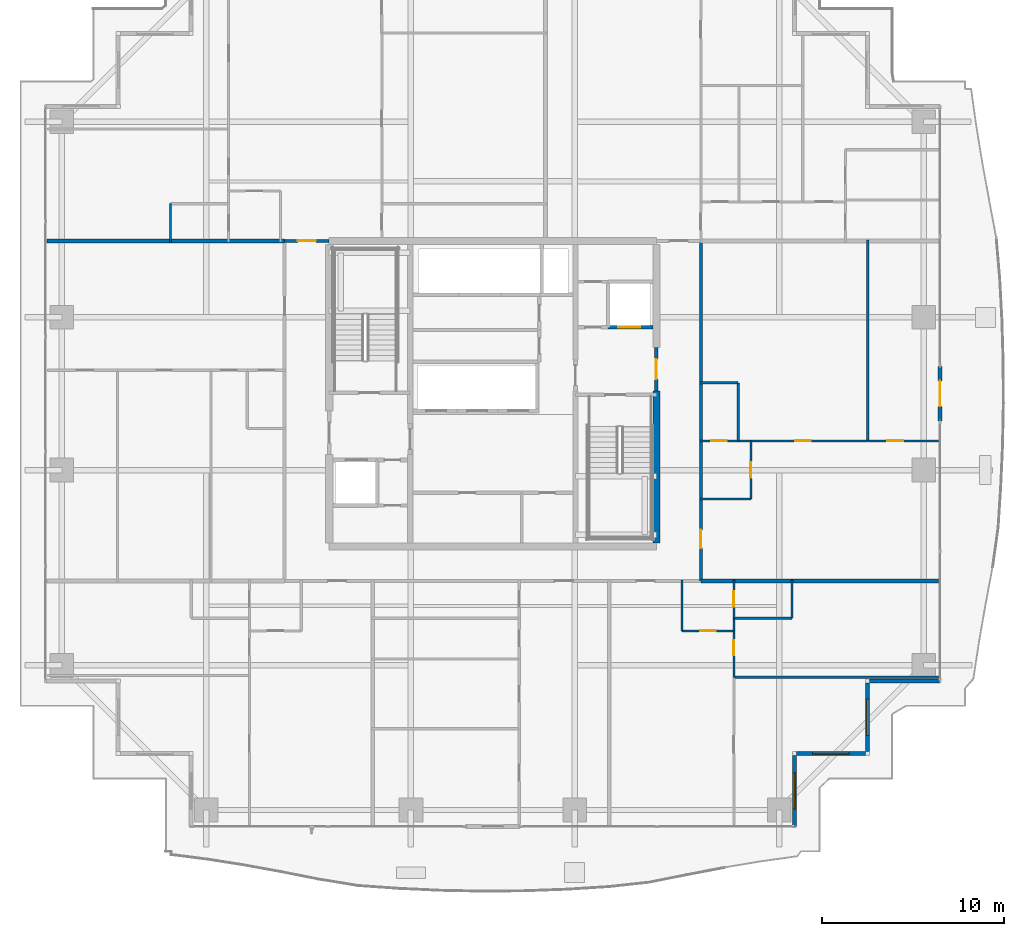
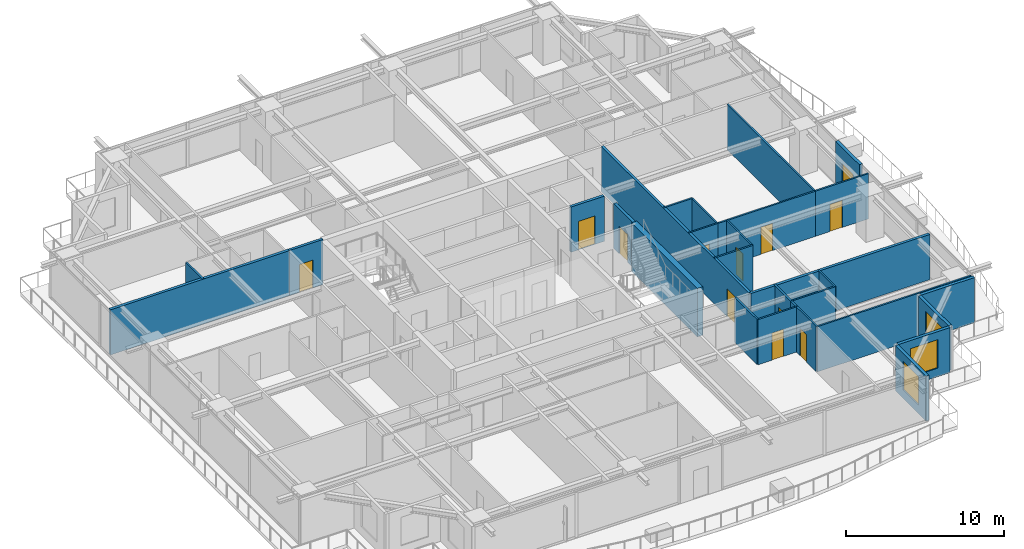
# One storey, part 27 of 35: 28 walls, 12 doors, 3 windows, 15 openings.
"""IFC4 building model written with IfcOpenShell, lengths in metres."""

from ifc_helpers import new_model, si_unit, direction, frame, frame_2d, origin, place, context, subcontext, project, spatial, rectangle, extrude, source, transform, mapped, material, layer, layer_set, type_object, element, fill, save


model = new_model("IFC4")

# Units and contexts
model_context = context("Model", 3, precision=1e-05, world=origin(), true_north=direction((0.0, 1.0)))
body_context = subcontext(model_context, "Body", "Model", "MODEL_VIEW")
ifc_project = project(units=[si_unit("LENGTHUNIT", "METRE"), si_unit("AREAUNIT", "SQUARE_METRE"), si_unit("VOLUMEUNIT", "CUBIC_METRE"), si_unit("PLANEANGLEUNIT", "RADIAN"), si_unit("MASSUNIT", "GRAM", prefix="KILO")], contexts=[model_context])

# Site, building, storey
site_placement = place(None, origin())
site = spatial("IfcSite", under=ifc_project, at=site_placement, CompositionType="ELEMENT")
building_placement = place(site_placement, origin())
building = spatial("IfcBuilding", under=site, at=building_placement, Name="Serunith Strait Residences", CompositionType="ELEMENT")
storey_placement = place(building_placement, frame((0.0, 0.0, 191.39990234375)))
storey = spatial("IfcBuildingStorey", under=building, at=storey_placement, Name="L48", CompositionType="ELEMENT", Elevation=191.39990234375)

# Wall, opening, window
ifc_material_1 = material(Name="Pale-Champagne Aluminium Insulated Panel", Category="aluminium")
ifc_layer_1 = layer(ifc_material_1, 0.219970703125, Name="Pale-Champagne Aluminium Insulated Panel")
ifc_layer_set_1 = layer_set([ifc_layer_1], Name="Pale-Champagne Aluminium Insulated Panel")
wall_type_1 = type_object("IfcWallType", Name="EW-ALUM-220", PredefinedType="ELEMENTEDWALL", material=ifc_layer_set_1)
wall_1_placement = place(storey_placement, frame((49.0, 1.39990234375, 0.0), z_axis=(0.0, 0.0, 1.0), x_axis=(0.0, 1.0, 0.0)))
wall_1 = element("IfcWall", 1, at=wall_1_placement, inside=storey, type_object=wall_type_1, Name="L48 Girih Serrated Corner Wall 02", PredefinedType="ELEMENTEDWALL", context=body_context, shape_type="SweptSolid", body=[
    extrude(rectangle(XDim=3.89013671875, YDim=0.219970703125, at=frame_2d((1.945068359375, 0.0))), origin(), (0.0, 0.0, 1.0), 3.47509765625),
])
opening_1_placement = place(wall_1_placement, frame((0.945068359375, 0.0, 0.64990234375)))
opening_1 = element("IfcOpeningElement", 2, at=opening_1_placement, cuts=wall_1, Name="Opening W-04", PredefinedType="OPENING", context=body_context, shape_type="SweptSolid", body=[
    extrude(rectangle(XDim=2.0, YDim=2.199951171875, at=frame_2d((1.0, 1.10009765625))), frame((0.0, 0.1201171875, 0.0), z_axis=(0.0, -1.0, 0.0), x_axis=(1.0, 0.0, 0.0)), (0.0, 0.0, 1.0), 0.239990234375),
])
ifc_material_2 = material(Name="Ceramic-Fritted Operable Aluminium Window Glass", Category="aluminium")
window_type = type_object("IfcWindowType", Name="WIN-C4", PartitioningType="TRIPLE_PANEL_VERTICAL", PredefinedType="WINDOW", material=ifc_material_2)
shared_shape_1 = source(origin(), body_context, "Body", "SweptSolid", [
    extrude(rectangle(XDim=2.0, YDim=2.199951171875, at=frame_2d((1.0, 1.10009765625))), frame((0.0, 0.030029296875, 0.0), z_axis=(0.0, -1.0, 0.0), x_axis=(1.0, 0.0, 0.0)), (0.0, 0.0, 1.0), 0.06005859375),
])
window_1_placement = place(opening_1_placement, origin())
window_1 = element("IfcWindow", 3, at=window_1_placement, inside=storey, type_object=window_type, Name="L48 Corner Operable Fritted Window 02", OverallHeight=2.199951171875, OverallWidth=2.0, PartitioningType="SINGLE_PANEL", PredefinedType="WINDOW", context=body_context, shape_type="MappedRepresentation", body=[
    mapped(shared_shape_1, transform((0.0, 0.0, 0.0), scale=1.0)),
])
fill(opening_1, window_1)

wall_2_placement = place(storey_placement, frame((49.110107421875, 5.39990234375, 0.0), z_axis=(0.0, 0.0, 1.0), x_axis=(1.0, 0.0, 0.0)))
wall_2 = element("IfcWall", 4, at=wall_2_placement, inside=storey, type_object=wall_type_1, Name="L48 Girih Serrated Corner Wall 03", PredefinedType="ELEMENTEDWALL", context=body_context, shape_type="SweptSolid", body=[
    extrude(rectangle(XDim=3.77978515625, YDim=0.219970703125, at=frame_2d((1.889892578125, 0.0))), origin(), (0.0, 0.0, 1.0), 3.47509765625),
])
opening_2_placement = place(wall_2_placement, frame((0.889892578125, 0.0, 0.64990234375)))
opening_2 = element("IfcOpeningElement", 5, at=opening_2_placement, cuts=wall_2, Name="Opening W-04", PredefinedType="OPENING", context=body_context, shape_type="SweptSolid", body=[
    extrude(rectangle(XDim=2.0, YDim=2.199951171875, at=frame_2d((1.0, 1.10009765625))), frame((0.0, 0.1201171875, 0.0), z_axis=(0.0, -1.0, 0.0), x_axis=(1.0, 0.0, 0.0)), (0.0, 0.0, 1.0), 0.239990234375),
])
window_2_placement = place(opening_2_placement, origin())
window_2 = element("IfcWindow", 6, at=window_2_placement, inside=storey, type_object=window_type, Name="L48 Corner Operable Fritted Window 03", OverallHeight=2.199951171875, OverallWidth=2.0, PartitioningType="SINGLE_PANEL", PredefinedType="WINDOW", context=body_context, shape_type="MappedRepresentation", body=[
    mapped(shared_shape_1, transform((0.0, 0.0, 0.0), scale=1.0)),
])
fill(opening_2, window_2)

wall_3_placement = place(storey_placement, frame((53.0, 5.510009765625, 0.0), z_axis=(0.0, 0.0, 1.0), x_axis=(0.0, 1.0, 0.0)))
wall_3 = element("IfcWall", 7, at=wall_3_placement, inside=storey, type_object=wall_type_1, Name="L48 Girih Serrated Corner Wall 04", PredefinedType="ELEMENTEDWALL", context=body_context, shape_type="SweptSolid", body=[
    extrude(rectangle(XDim=3.780029296875, YDim=0.219970703125, at=frame_2d((1.89013671875, 0.0))), origin(), (0.0, 0.0, 1.0), 3.47509765625),
])
opening_3_placement = place(wall_3_placement, frame((0.889892578125, 0.0, 0.64990234375)))
opening_3 = element("IfcOpeningElement", 8, at=opening_3_placement, cuts=wall_3, Name="Opening W-04", PredefinedType="OPENING", context=body_context, shape_type="SweptSolid", body=[
    extrude(rectangle(XDim=2.0, YDim=2.199951171875, at=frame_2d((1.0, 1.10009765625))), frame((0.0, 0.1201171875, 0.0), z_axis=(0.0, -1.0, 0.0), x_axis=(1.0, 0.0, 0.0)), (0.0, 0.0, 1.0), 0.239990234375),
])
window_3_placement = place(opening_3_placement, origin())
window_3 = element("IfcWindow", 9, at=window_3_placement, inside=storey, type_object=window_type, Name="L48 Corner Operable Fritted Window 04", OverallHeight=2.199951171875, OverallWidth=2.0, PartitioningType="SINGLE_PANEL", PredefinedType="WINDOW", context=body_context, shape_type="MappedRepresentation", body=[
    mapped(shared_shape_1, transform((0.0, 0.0, 0.0), scale=1.0)),
])
fill(opening_3, window_3)

# Wall
wall_4_placement = place(storey_placement, frame((53.110107421875, 9.39990234375, 0.0), z_axis=(0.0, 0.0, 1.0), x_axis=(1.0, 0.0, 0.0)))
element("IfcWall", 10, at=wall_4_placement, inside=storey, type_object=wall_type_1, Name="L48 Girih Serrated Corner Wall 05", PredefinedType="ELEMENTEDWALL", context=body_context, shape_type="SweptSolid", body=[
    extrude(rectangle(XDim=3.889892578125, YDim=0.219970703125, at=frame_2d((1.94482421875, 0.0))), origin(), (0.0, 0.0, 1.0), 3.47509765625),
])

# Wall, opening, door
wall_5_placement = place(storey_placement, frame((57.0, 23.699951171875, 0.0), z_axis=(0.0, 0.0, 1.0), x_axis=(0.0, 1.0, 0.0)))
wall_5 = element("IfcWall", 11, at=wall_5_placement, inside=storey, type_object=wall_type_1, Name="L48 E Facade Pier Wall", PredefinedType="ELEMENTEDWALL", context=body_context, shape_type="SweptSolid", body=[
    extrude(rectangle(XDim=3.0, YDim=0.219970703125, at=frame_2d((1.5, 0.0))), origin(), (0.0, 0.0, 1.0), 3.47509765625),
])
opening_4_placement = place(wall_5_placement, frame((0.800048828125, 0.0, 0.0)))
opening_4 = element("IfcOpeningElement", 12, at=opening_4_placement, cuts=wall_5, Name="Opening ED-04", PredefinedType="OPENING", context=body_context, shape_type="SweptSolid", body=[
    extrude(rectangle(XDim=1.39990234375, YDim=2.25, at=frame_2d((0.699951171875, 1.125))), frame((0.0, 0.1201171875, 0.0), z_axis=(0.0, -1.0, 0.0), x_axis=(1.0, 0.0, 0.0)), (0.0, 0.0, 1.0), 0.239990234375),
])
ifc_material_3 = material(Name="Thermally-Broken Aluminium Sliding Balcony Door", Category="aluminium")
door_type_1 = type_object("IfcDoorType", Name="ED-BALC-1400", OperationType="NOTDEFINED", PredefinedType="DOOR", material=ifc_material_3)
shared_shape_2 = source(origin(), body_context, "Body", "SweptSolid", [
    extrude(rectangle(XDim=1.39990234375, YDim=2.25, at=frame_2d((0.699951171875, 1.125))), frame((0.0, 0.02490234375, 0.0), z_axis=(0.0, -1.0, 0.0), x_axis=(1.0, 0.0, 0.0)), (0.0, 0.0, 1.0), 0.050048828125),
])
door_1_placement = place(opening_4_placement, origin())
door_1 = element("IfcDoor", 13, at=door_1_placement, inside=storey, type_object=door_type_1, Name="L48 E Vertical-Forest Balcony Door", OperationType="SLIDING_TO_LEFT", OverallHeight=2.25, OverallWidth=1.39990234375, PredefinedType="DOOR", context=body_context, shape_type="MappedRepresentation", body=[
    mapped(shared_shape_2, transform((0.0, 0.0, 0.0), scale=1.0)),
])
fill(opening_4, door_1)

ifc_material_4 = material(Name="Fire-rated acoustic gypsum partition")
ifc_layer_2 = layer(ifc_material_4, 0.179931640625, Name="Fire-rated acoustic gypsum partition")
ifc_layer_set_2 = layer_set([ifc_layer_2], Name="Fire-rated acoustic gypsum partition")
wall_type_2 = type_object("IfcWallType", Name="IW-CORR-180", PredefinedType="PARTITIONING", material=ifc_layer_set_2)
wall_6_placement = place(storey_placement, frame((43.85009765625, 14.89990234375, 0.0), z_axis=(0.0, 0.0, 1.0), x_axis=(0.0, 1.0, 0.0)))
wall_6 = element("IfcWall", 14, at=wall_6_placement, inside=storey, type_object=wall_type_2, Name="L48 Partition Wall 029", PredefinedType="PARTITIONING", context=body_context, shape_type="SweptSolid", body=[
    extrude(rectangle(XDim=18.7001953125, YDim=0.179931640625, at=frame_2d((9.35009765625, 0.0))), origin(), (0.0, 0.0, 1.0), 3.489990234375),
])
opening_5_placement = place(wall_6_placement, frame((1.804931640625, 0.0, 0.0)))
opening_5 = element("IfcOpeningElement", 15, at=opening_5_placement, cuts=wall_6, Name="Opening D-APT1000", PredefinedType="OPENING", context=body_context, shape_type="SweptSolid", body=[
    extrude(rectangle(XDim=1.0, YDim=2.14990234375, at=frame_2d((0.5, 1.074951171875))), frame((0.0, 0.10009765625, 0.0), z_axis=(0.0, -1.0, 0.0), x_axis=(1.0, 0.0, 0.0)), (0.0, 0.0, 1.0), 0.199951171875),
])
ifc_material_5 = material(Name="Solid timber engineered fire door", Category="wood")
door_type_2 = type_object("IfcDoorType", Name="ID-APT-1000", OperationType="NOTDEFINED", PredefinedType="DOOR", material=ifc_material_5)
shared_shape_3 = source(origin(), body_context, "Body", "SweptSolid", [
    extrude(rectangle(XDim=1.0, YDim=2.14990234375, at=frame_2d((0.5, 1.074951171875))), frame((0.0, 0.02490234375, 0.0), z_axis=(0.0, -1.0, 0.0), x_axis=(1.0, 0.0, 0.0)), (0.0, 0.0, 1.0), 0.050048828125),
])
door_2_placement = place(opening_5_placement, origin())
door_2 = element("IfcDoor", 16, at=door_2_placement, inside=storey, type_object=door_type_2, Name="L48 Unit 07 Entrance Door", OperationType="SINGLE_SWING_LEFT", OverallHeight=2.14990234375, OverallWidth=1.0, PredefinedType="DOOR", context=body_context, shape_type="MappedRepresentation", body=[
    mapped(shared_shape_3, transform((0.0, 0.0, 0.0), scale=1.0)),
])
fill(opening_5, door_2)

wall_7_placement = place(storey_placement, frame((20.951904296875, 33.60009765625, 0.0), z_axis=(0.0, 0.0, 1.0), x_axis=(1.0, 0.0, 0.0)))
wall_7 = element("IfcWall", 17, at=wall_7_placement, inside=storey, type_object=wall_type_2, Name="L48 Partition Wall 030", PredefinedType="PARTITIONING", context=body_context, shape_type="SweptSolid", body=[
    extrude(rectangle(XDim=2.446044921875, YDim=0.179931640625, at=frame_2d((1.22314453125, 0.0))), origin(), (0.0, 0.0, 1.0), 3.489990234375),
])
opening_6_placement = place(wall_7_placement, frame((0.722900390625, 0.0, 0.0)))
opening_6 = element("IfcOpeningElement", 18, at=opening_6_placement, cuts=wall_7, Name="Opening D-APT1000", PredefinedType="OPENING", context=body_context, shape_type="SweptSolid", body=[
    extrude(rectangle(XDim=1.0, YDim=2.14990234375, at=frame_2d((0.5, 1.074951171875))), frame((0.0, 0.10009765625, 0.0), z_axis=(0.0, -1.0, 0.0), x_axis=(1.0, 0.0, 0.0)), (0.0, 0.0, 1.0), 0.199951171875),
])
door_3_placement = place(opening_6_placement, origin())
door_3 = element("IfcDoor", 19, at=door_3_placement, inside=storey, type_object=door_type_2, Name="L48 Unit 04 Entrance Door", OperationType="SINGLE_SWING_RIGHT", OverallHeight=2.14990234375, OverallWidth=1.0, PredefinedType="DOOR", context=body_context, shape_type="MappedRepresentation", body=[
    mapped(shared_shape_3, transform((0.0, 0.0, 0.0), scale=1.0)),
])
fill(opening_6, door_3)

ifc_material_6 = material(Name="Lightweight steel-stud gypsum partition", Category="steel")
ifc_layer_3 = layer(ifc_material_6, 0.1201171875, Name="Lightweight steel-stud gypsum partition")
ifc_layer_set_3 = layer_set([ifc_layer_3], Name="Lightweight steel-stud gypsum partition")
wall_type_3 = type_object("IfcWallType", Name="IW-PART-120", PredefinedType="PARTITIONING", material=ifc_layer_set_3)
wall_8_placement = place(storey_placement, frame((42.81005859375, 12.14990234375, 0.0), z_axis=(0.0, 0.0, 1.0), x_axis=(1.0, 0.0, 0.0)))
wall_8 = element("IfcWall", 20, at=wall_8_placement, inside=storey, type_object=wall_type_3, Name="L48 Partition Wall 047", PredefinedType="PARTITIONING", context=body_context, shape_type="SweptSolid", body=[
    extrude(rectangle(XDim=2.849853515625, YDim=0.1201171875, at=frame_2d((1.4248046875, 0.0))), origin(), (0.0, 0.0, 1.0), 3.489990234375),
])
opening_7_placement = place(wall_8_placement, frame((1.0, 0.0, 0.0)))
opening_7 = element("IfcOpeningElement", 21, at=opening_7_placement, cuts=wall_8, Name="Opening D-RM850", PredefinedType="OPENING", context=body_context, shape_type="SweptSolid", body=[
    extrude(rectangle(XDim=0.85009765625, YDim=2.10009765625, at=frame_2d((0.425048828125, 1.050048828125))), frame((0.0, 0.070068359375, 0.0), z_axis=(0.0, -1.0, 0.0), x_axis=(1.0, 0.0, 0.0)), (0.0, 0.0, 1.0), 0.14013671875),
])
ifc_material_7 = material(Name="Engineered timber flush study and kitchen door", Category="wood")
door_type_3 = type_object("IfcDoorType", Name="ID-ROOM-850", OperationType="NOTDEFINED", PredefinedType="DOOR", material=ifc_material_7)
shared_shape_4 = source(origin(), body_context, "Body", "SweptSolid", [
    extrude(rectangle(XDim=0.85009765625, YDim=2.10009765625, at=frame_2d((0.425048828125, 1.050048828125))), frame((0.0, 0.02490234375, 0.0), z_axis=(0.0, -1.0, 0.0), x_axis=(1.0, 0.0, 0.0)), (0.0, 0.0, 1.0), 0.050048828125),
])
door_4_placement = place(opening_7_placement, origin())
door_4 = element("IfcDoor", 22, at=door_4_placement, inside=storey, type_object=door_type_3, Name="L48 Kitchen 4803 Door", OperationType="SINGLE_SWING_RIGHT", OverallHeight=2.10009765625, OverallWidth=0.85009765625, PredefinedType="DOOR", context=body_context, shape_type="MappedRepresentation", body=[
    mapped(shared_shape_4, transform((0.0, 0.0, 0.0), scale=1.0)),
])
fill(opening_7, door_4)

# Walls
wall_9_placement = place(storey_placement, frame((42.81005859375, 12.14990234375, 0.0), z_axis=(0.0, 0.0, 1.0), x_axis=(0.0, 1.0, 0.0)))
element("IfcWall", 23, at=wall_9_placement, inside=storey, type_object=wall_type_3, Name="L48 Partition Wall 048", PredefinedType="PARTITIONING", context=body_context, shape_type="SweptSolid", body=[
    extrude(rectangle(XDim=2.81005859375, YDim=0.1201171875, at=frame_2d((1.405029296875, 0.0))), origin(), (0.0, 0.0, 1.0), 3.489990234375),
])
wall_10_placement = place(storey_placement, frame((45.659912109375, 9.597900390625, 0.0), z_axis=(0.0, 0.0, 1.0), x_axis=(1.0, 0.0, 0.0)))
element("IfcWall", 24, at=wall_10_placement, inside=storey, type_object=wall_type_3, Name="L48 Partition Wall 050", PredefinedType="PARTITIONING", context=body_context, shape_type="SweptSolid", body=[
    extrude(rectangle(XDim=11.2451171875, YDim=0.1201171875, at=frame_2d((5.62255859375, 0.0))), origin(), (0.0, 0.0, 1.0), 3.489990234375),
])
wall_11_placement = place(storey_placement, frame((45.659912109375, 12.85009765625, 0.0), z_axis=(0.0, 0.0, 1.0), x_axis=(1.0, 0.0, 0.0)))
element("IfcWall", 25, at=wall_11_placement, inside=storey, type_object=wall_type_3, Name="L48 Partition Wall 051", PredefinedType="PARTITIONING", context=body_context, shape_type="SweptSolid", body=[
    extrude(rectangle(XDim=3.2001953125, YDim=0.1201171875, at=frame_2d((1.60009765625, 0.0))), origin(), (0.0, 0.0, 1.0), 3.489990234375),
])
wall_12_placement = place(storey_placement, frame((48.860107421875, 12.85009765625, 0.0), z_axis=(0.0, 0.0, 1.0), x_axis=(0.0, 1.0, 0.0)))
element("IfcWall", 26, at=wall_12_placement, inside=storey, type_object=wall_type_3, Name="L48 Partition Wall 052", PredefinedType="PARTITIONING", context=body_context, shape_type="SweptSolid", body=[
    extrude(rectangle(XDim=2.10986328125, YDim=0.1201171875, at=frame_2d((1.054931640625, 0.0))), origin(), (0.0, 0.0, 1.0), 3.489990234375),
])

# Wall, opening, door
wall_13_placement = place(storey_placement, frame((45.659912109375, 9.60009765625, 0.0), z_axis=(0.0, 0.0, 1.0), x_axis=(0.0, 1.0, 0.0)))
wall_13 = element("IfcWall", 27, at=wall_13_placement, inside=storey, type_object=wall_type_3, Name="L48 Partition Wall 053", PredefinedType="PARTITIONING", context=body_context, shape_type="SweptSolid", body=[
    extrude(rectangle(XDim=3.25, YDim=0.1201171875, at=frame_2d((1.625, 0.0))), origin(), (0.0, 0.0, 1.0), 3.489990234375),
])
opening_8_placement = place(wall_13_placement, frame((1.199951171875, 0.0, 0.0)))
opening_8 = element("IfcOpeningElement", 28, at=opening_8_placement, cuts=wall_13, Name="Opening D-RM850", PredefinedType="OPENING", context=body_context, shape_type="SweptSolid", body=[
    extrude(rectangle(XDim=0.85009765625, YDim=2.10009765625, at=frame_2d((0.425048828125, 1.050048828125))), frame((0.0, 0.070068359375, 0.0), z_axis=(0.0, -1.0, 0.0), x_axis=(1.0, 0.0, 0.0)), (0.0, 0.0, 1.0), 0.14013671875),
])
door_5_placement = place(opening_8_placement, origin())
door_5 = element("IfcDoor", 29, at=door_5_placement, inside=storey, type_object=door_type_3, Name="L48 Walk-in Wardrobe 4803 Door", OperationType="SINGLE_SWING_RIGHT", OverallHeight=2.10009765625, OverallWidth=0.85009765625, PredefinedType="DOOR", context=body_context, shape_type="MappedRepresentation", body=[
    mapped(shared_shape_4, transform((0.0, 0.0, 0.0), scale=1.0)),
])
fill(opening_8, door_5)

wall_14_placement = place(storey_placement, frame((45.659912109375, 12.85205078125, 0.0), z_axis=(0.0, 0.0, 1.0), x_axis=(0.0, 1.0, 0.0)))
wall_14 = element("IfcWall", 30, at=wall_14_placement, inside=storey, type_object=wall_type_3, Name="L48 Partition Wall 054", PredefinedType="PARTITIONING", context=body_context, shape_type="SweptSolid", body=[
    extrude(rectangle(XDim=2.10791015625, YDim=0.1201171875, at=frame_2d((1.053955078125, 0.0))), origin(), (0.0, 0.0, 1.0), 3.489990234375),
])
opening_9_placement = place(wall_14_placement, frame((0.62890625, 0.0, 0.0)))
opening_9 = element("IfcOpeningElement", 31, at=opening_9_placement, cuts=wall_14, Name="Opening D-BTH850", PredefinedType="OPENING", context=body_context, shape_type="SweptSolid", body=[
    extrude(rectangle(XDim=0.85009765625, YDim=2.10009765625, at=frame_2d((0.425048828125, 1.050048828125))), frame((0.0, 0.070068359375, 0.0), z_axis=(0.0, -1.0, 0.0), x_axis=(1.0, 0.0, 0.0)), (0.0, 0.0, 1.0), 0.14013671875),
])
ifc_material_8 = material(Name="Moisture-resistant timber bathroom door", Category="wood")
door_type_4 = type_object("IfcDoorType", Name="ID-BATH-850", OperationType="NOTDEFINED", PredefinedType="DOOR", material=ifc_material_8)
door_6_placement = place(opening_9_placement, origin())
door_6 = element("IfcDoor", 32, at=door_6_placement, inside=storey, type_object=door_type_4, Name="L48 Bathroom 4803 Door", OperationType="SINGLE_SWING_LEFT", OverallHeight=2.10009765625, OverallWidth=0.85009765625, PredefinedType="DOOR", context=body_context, shape_type="MappedRepresentation", body=[
    mapped(shared_shape_4, transform((0.0, 0.0, 0.0), scale=1.0)),
])
fill(opening_9, door_6)

# Wall
wall_15_placement = place(storey_placement, frame((14.669921875, 35.64990234375, 0.0), z_axis=(0.0, 0.0, 1.0), x_axis=(0.0, -1.0, 0.0)))
element("IfcWall", 33, at=wall_15_placement, inside=storey, type_object=wall_type_3, Name="L48 Partition Wall 060", PredefinedType="PARTITIONING", context=body_context, shape_type="SweptSolid", body=[
    extrude(rectangle(XDim=2.10986328125, YDim=0.1201171875, at=frame_2d((1.054931640625, 0.0))), origin(), (0.0, 0.0, 1.0), 3.489990234375),
])

# Wall, opening, door
wall_16_placement = place(storey_placement, frame((46.60009765625, 19.39990234375, 0.0), z_axis=(0.0, 0.0, 1.0), x_axis=(0.0, 1.0, 0.0)))
wall_16 = element("IfcWall", 34, at=wall_16_placement, inside=storey, type_object=wall_type_3, Name="L48 Partition Wall 089", PredefinedType="PARTITIONING", context=body_context, shape_type="SweptSolid", body=[
    extrude(rectangle(XDim=3.2001953125, YDim=0.1201171875, at=frame_2d((1.60009765625, 0.0))), origin(), (0.0, 0.0, 1.0), 3.489990234375),
])
opening_10_placement = place(wall_16_placement, frame((1.175048828125, 0.0, 0.0)))
opening_10 = element("IfcOpeningElement", 35, at=opening_10_placement, cuts=wall_16, Name="Opening D-RM850", PredefinedType="OPENING", context=body_context, shape_type="SweptSolid", body=[
    extrude(rectangle(XDim=0.85009765625, YDim=2.10009765625, at=frame_2d((0.425048828125, 1.050048828125))), frame((0.0, 0.070068359375, 0.0), z_axis=(0.0, -1.0, 0.0), x_axis=(1.0, 0.0, 0.0)), (0.0, 0.0, 1.0), 0.14013671875),
])
door_7_placement = place(opening_10_placement, origin())
door_7 = element("IfcDoor", 36, at=door_7_placement, inside=storey, type_object=door_type_3, Name="L48 Kitchen 4807 Door", OperationType="SINGLE_SWING_RIGHT", OverallHeight=2.10009765625, OverallWidth=0.85009765625, PredefinedType="DOOR", context=body_context, shape_type="MappedRepresentation", body=[
    mapped(shared_shape_4, transform((0.0, 0.0, 0.0), scale=1.0)),
])
fill(opening_10, door_7)

# Wall
wall_17_placement = place(storey_placement, frame((46.60009765625, 19.39990234375, 0.0), z_axis=(0.0, 0.0, 1.0), x_axis=(-1.0, 0.0, 0.0)))
element("IfcWall", 37, at=wall_17_placement, inside=storey, type_object=wall_type_3, Name="L48 Partition Wall 090", PredefinedType="PARTITIONING", context=body_context, shape_type="SweptSolid", body=[
    extrude(rectangle(XDim=2.81005859375, YDim=0.1201171875, at=frame_2d((1.405029296875, 0.0))), origin(), (0.0, 0.0, 1.0), 3.489990234375),
])

# Wall, opening, door
wall_18_placement = place(storey_placement, frame((56.905029296875, 22.60009765625, 0.0), z_axis=(0.0, 0.0, 1.0), x_axis=(-1.0, 0.0, 0.0)))
wall_18 = element("IfcWall", 38, at=wall_18_placement, inside=storey, type_object=wall_type_3, Name="L48 Partition Wall 091", PredefinedType="PARTITIONING", context=body_context, shape_type="SweptSolid", body=[
    extrude(rectangle(XDim=3.879150390625, YDim=0.1201171875, at=frame_2d((1.939453125, 0.0))), origin(), (0.0, 0.0, 1.0), 3.489990234375),
])
opening_11_placement = place(wall_18_placement, frame((1.91796875, 0.0, 0.0)))
opening_11 = element("IfcOpeningElement", 39, at=opening_11_placement, cuts=wall_18, Name="Opening D-RM900", PredefinedType="OPENING", context=body_context, shape_type="SweptSolid", body=[
    extrude(rectangle(XDim=0.89990234375, YDim=2.10009765625, at=frame_2d((0.449951171875, 1.050048828125))), frame((0.0, 0.070068359375, 0.0), z_axis=(0.0, -1.0, 0.0), x_axis=(1.0, 0.0, 0.0)), (0.0, 0.0, 1.0), 0.14013671875),
])
ifc_material_9 = material(Name="Engineered timber flush bedroom door", Category="wood")
door_type_5 = type_object("IfcDoorType", Name="ID-ROOM-900", OperationType="NOTDEFINED", PredefinedType="DOOR", material=ifc_material_9)
shared_shape_5 = source(origin(), body_context, "Body", "SweptSolid", [
    extrude(rectangle(XDim=0.89990234375, YDim=2.10009765625, at=frame_2d((0.449951171875, 1.050048828125))), frame((0.0, 0.02490234375, 0.0), z_axis=(0.0, -1.0, 0.0), x_axis=(1.0, 0.0, 0.0)), (0.0, 0.0, 1.0), 0.050048828125),
])
door_8_placement = place(opening_11_placement, origin())
door_8 = element("IfcDoor", 40, at=door_8_placement, inside=storey, type_object=door_type_5, Name="L48 Master Bedroom 1 4807 Door", OperationType="SINGLE_SWING_LEFT", OverallHeight=2.10009765625, OverallWidth=0.89990234375, PredefinedType="DOOR", context=body_context, shape_type="MappedRepresentation", body=[
    mapped(shared_shape_5, transform((0.0, 0.0, 0.0), scale=1.0)),
])
fill(opening_11, door_8)

# Walls
wall_19_placement = place(storey_placement, frame((53.02587890625, 22.60009765625, 0.0), z_axis=(0.0, 0.0, 1.0), x_axis=(0.0, 1.0, 0.0)))
element("IfcWall", 41, at=wall_19_placement, inside=storey, type_object=wall_type_3, Name="L48 Partition Wall 092", PredefinedType="PARTITIONING", context=body_context, shape_type="SweptSolid", body=[
    extrude(rectangle(XDim=11.059814453125, YDim=0.1201171875, at=frame_2d((5.52978515625, 0.0))), origin(), (0.0, 0.0, 1.0), 3.489990234375),
])
wall_20_placement = place(storey_placement, frame((45.89990234375, 22.60009765625, 0.0), z_axis=(0.0, 0.0, 1.0), x_axis=(0.0, 1.0, 0.0)))
element("IfcWall", 42, at=wall_20_placement, inside=storey, type_object=wall_type_3, Name="L48 Partition Wall 093", PredefinedType="PARTITIONING", context=body_context, shape_type="SweptSolid", body=[
    extrude(rectangle(XDim=3.199951171875, YDim=0.1201171875, at=frame_2d((1.60009765625, 0.0))), origin(), (0.0, 0.0, 1.0), 3.489990234375),
])
wall_21_placement = place(storey_placement, frame((45.89990234375, 25.800048828125, 0.0), z_axis=(0.0, 0.0, 1.0), x_axis=(-1.0, 0.0, 0.0)))
element("IfcWall", 43, at=wall_21_placement, inside=storey, type_object=wall_type_3, Name="L48 Partition Wall 094", PredefinedType="PARTITIONING", context=body_context, shape_type="SweptSolid", body=[
    extrude(rectangle(XDim=2.10986328125, YDim=0.1201171875, at=frame_2d((1.054931640625, 0.0))), origin(), (0.0, 0.0, 1.0), 3.489990234375),
])

# Wall, opening, door
wall_22_placement = place(storey_placement, frame((53.02392578125, 22.60009765625, 0.0), z_axis=(0.0, 0.0, 1.0), x_axis=(-1.0, 0.0, 0.0)))
wall_22 = element("IfcWall", 44, at=wall_22_placement, inside=storey, type_object=wall_type_3, Name="L48 Partition Wall 095", PredefinedType="PARTITIONING", context=body_context, shape_type="SweptSolid", body=[
    extrude(rectangle(XDim=7.1240234375, YDim=0.1201171875, at=frame_2d((3.56201171875, 0.0))), origin(), (0.0, 0.0, 1.0), 3.489990234375),
])
opening_12_placement = place(wall_22_placement, frame((3.136962890625, 0.0, 0.0)))
opening_12 = element("IfcOpeningElement", 45, at=opening_12_placement, cuts=wall_22, Name="Opening D-RM850", PredefinedType="OPENING", context=body_context, shape_type="SweptSolid", body=[
    extrude(rectangle(XDim=0.85009765625, YDim=2.10009765625, at=frame_2d((0.425048828125, 1.050048828125))), frame((0.0, 0.070068359375, 0.0), z_axis=(0.0, -1.0, 0.0), x_axis=(1.0, 0.0, 0.0)), (0.0, 0.0, 1.0), 0.14013671875),
])
door_9_placement = place(opening_12_placement, origin())
door_9 = element("IfcDoor", 46, at=door_9_placement, inside=storey, type_object=door_type_3, Name="L48 Walk-in Wardrobe 4807 Door", OperationType="SINGLE_SWING_RIGHT", OverallHeight=2.10009765625, OverallWidth=0.85009765625, PredefinedType="DOOR", context=body_context, shape_type="MappedRepresentation", body=[
    mapped(shared_shape_4, transform((0.0, 0.0, 0.0), scale=1.0)),
])
fill(opening_12, door_9)

wall_23_placement = place(storey_placement, frame((45.89794921875, 22.60009765625, 0.0), z_axis=(0.0, 0.0, 1.0), x_axis=(-1.0, 0.0, 0.0)))
wall_23 = element("IfcWall", 47, at=wall_23_placement, inside=storey, type_object=wall_type_3, Name="L48 Partition Wall 096", PredefinedType="PARTITIONING", context=body_context, shape_type="SweptSolid", body=[
    extrude(rectangle(XDim=2.10791015625, YDim=0.1201171875, at=frame_2d((1.053955078125, 0.0))), origin(), (0.0, 0.0, 1.0), 3.489990234375),
])
opening_13_placement = place(wall_23_placement, frame((0.62890625, 0.0, 0.0)))
opening_13 = element("IfcOpeningElement", 48, at=opening_13_placement, cuts=wall_23, Name="Opening D-BTH850", PredefinedType="OPENING", context=body_context, shape_type="SweptSolid", body=[
    extrude(rectangle(XDim=0.85009765625, YDim=2.10009765625, at=frame_2d((0.425048828125, 1.050048828125))), frame((0.0, 0.070068359375, 0.0), z_axis=(0.0, -1.0, 0.0), x_axis=(1.0, 0.0, 0.0)), (0.0, 0.0, 1.0), 0.14013671875),
])
door_10_placement = place(opening_13_placement, origin())
door_10 = element("IfcDoor", 49, at=door_10_placement, inside=storey, type_object=door_type_4, Name="L48 Bathroom 4807 Door", OperationType="SINGLE_SWING_LEFT", OverallHeight=2.10009765625, OverallWidth=0.85009765625, PredefinedType="DOOR", context=body_context, shape_type="MappedRepresentation", body=[
    mapped(shared_shape_4, transform((0.0, 0.0, 0.0), scale=1.0)),
])
fill(opening_13, door_10)

# Walls
ifc_material_10 = material(Name="Twin-stud acoustic gypsum board partition")
ifc_layer_4 = layer(ifc_material_10, 0.199951171875, Name="Twin-stud acoustic gypsum board partition")
ifc_layer_set_4 = layer_set([ifc_layer_4], Name="Twin-stud acoustic gypsum board partition")
wall_type_4 = type_object("IfcWallType", Name="IW-PARTY-200", PredefinedType="PARTITIONING", material=ifc_layer_set_4)
for number, where, z_axis, x_axis, name in (
    (50, (43.85009765625, 14.89990234375, 0.0), (0.0, 0.0, 1.0), (1.0, 0.0, 0.0), "L48 Partition Wall 024"),
    (51, (7.882080078125, 33.60009765625, 0.0), (0.0, 0.0, 1.0), (1.0, 0.0, 0.0), "L48 Partition Wall 025"),
):
    element("IfcWall", number, at=place(storey_placement, frame(where, z_axis=z_axis, x_axis=x_axis)), inside=storey, type_object=wall_type_4, Name=name, PredefinedType="PARTITIONING", context=body_context, shape_type="SweptSolid", body=[
        extrude(rectangle(XDim=13.06787109375, YDim=0.199951171875, at=frame_2d((6.533935546875, 0.0))), origin(), (0.0, 0.0, 1.0), 3.489990234375),
    ])

# Wall, opening, door
ifc_material_11 = material(Name="Autoclaved aerated concrete blockwork", Category="masonry")
ifc_layer_5 = layer(ifc_material_11, 0.199951171875, Name="Autoclaved aerated concrete blockwork")
ifc_layer_set_5 = layer_set([ifc_layer_5], Name="Autoclaved aerated concrete blockwork")
wall_type_5 = type_object("IfcWallType", Name="IW-SHAFT-200", PredefinedType="STANDARD", material=ifc_layer_set_5)
wall_24_placement = place(storey_placement, frame((38.75, 28.85009765625, 0.0), z_axis=(0.0, 0.0, 1.0), x_axis=(1.0, 0.0, 0.0)))
wall_24 = element("IfcWall", 52, at=wall_24_placement, inside=storey, type_object=wall_type_5, Name="L48 FL-2 South Shaft Wall", PredefinedType="STANDARD", context=body_context, shape_type="SweptSolid", body=[
    extrude(rectangle(XDim=2.449951171875, YDim=0.199951171875, at=frame_2d((1.22509765625, 0.0))), origin(), (0.0, 0.0, 1.0), 3.489990234375),
])
opening_14_placement = place(wall_24_placement, frame((0.550048828125, 0.0, 0.0)))
opening_14 = element("IfcOpeningElement", 53, at=opening_14_placement, cuts=wall_24, Name="Opening LD-FF1200", PredefinedType="OPENING", context=body_context, shape_type="SweptSolid", body=[
    extrude(rectangle(XDim=1.199951171875, YDim=2.199951171875, at=frame_2d((0.60009765625, 1.10009765625))), frame((0.0, 0.10986328125, 0.0), z_axis=(0.0, -1.0, 0.0), x_axis=(1.0, 0.0, 0.0)), (0.0, 0.0, 1.0), 0.219970703125),
])
ifc_material_12 = material(Name="Brushed stainless steel landing door", Category="steel")
door_type_6 = type_object("IfcDoorType", Name="LD-FF-1200", OperationType="DOUBLE_DOOR_SLIDING", PredefinedType="DOOR", material=ifc_material_12)
shared_shape_6 = source(origin(), body_context, "Body", "SweptSolid", [
    extrude(rectangle(XDim=1.199951171875, YDim=2.199951171875, at=frame_2d((0.60009765625, 1.10009765625))), frame((0.0, 0.02490234375, 0.0), z_axis=(0.0, -1.0, 0.0), x_axis=(1.0, 0.0, 0.0)), (0.0, 0.0, 1.0), 0.050048828125),
])
door_11_placement = place(opening_14_placement, origin())
door_11 = element("IfcDoor", 54, at=door_11_placement, inside=storey, type_object=door_type_6, Name="L48 FL-2 Landing Door", OperationType="DOUBLE_DOOR_SLIDING", OverallHeight=2.199951171875, OverallWidth=1.199951171875, PredefinedType="DOOR", context=body_context, shape_type="MappedRepresentation", body=[
    mapped(shared_shape_6, transform((0.0, 0.0, 0.0), scale=1.0)),
])
fill(opening_14, door_11)

wall_25_placement = place(storey_placement, frame((41.39990234375, 25.35205078125, 0.0), z_axis=(0.0, 0.0, 1.0), x_axis=(0.0, 1.0, 0.0)))
wall_25 = element("IfcWall", 55, at=wall_25_placement, inside=storey, type_object=wall_type_5, Name="L48 Partition Wall 008", PredefinedType="STANDARD", context=body_context, shape_type="SweptSolid", body=[
    extrude(rectangle(XDim=2.39599609375, YDim=0.199951171875, at=frame_2d((1.197998046875, 0.0))), origin(), (0.0, 0.0, 1.0), 3.489990234375),
])
opening_15_placement = place(wall_25_placement, frame((0.64794921875, 0.0, 0.0)))
opening_15 = element("IfcOpeningElement", 56, at=opening_15_placement, cuts=wall_25, Name="Opening FD-FFL", PredefinedType="OPENING", context=body_context, shape_type="SweptSolid", body=[
    extrude(rectangle(XDim=1.10009765625, YDim=2.14990234375, at=frame_2d((0.550048828125, 1.074951171875))), frame((0.0, 0.10986328125, 0.0), z_axis=(0.0, -1.0, 0.0), x_axis=(1.0, 0.0, 0.0)), (0.0, 0.0, 1.0), 0.219970703125),
])
ifc_material_13 = material(Name="Glazed steel smoke-lobby fire door", Category="steel")
door_type_7 = type_object("IfcDoorType", Name="FD-FFL-1100", OperationType="NOTDEFINED", PredefinedType="DOOR", material=ifc_material_13)
shared_shape_7 = source(origin(), body_context, "Body", "SweptSolid", [
    extrude(rectangle(XDim=1.10009765625, YDim=2.14990234375, at=frame_2d((0.550048828125, 1.074951171875))), frame((0.0, 0.02490234375, 0.0), z_axis=(0.0, -1.0, 0.0), x_axis=(1.0, 0.0, 0.0)), (0.0, 0.0, 1.0), 0.050048828125),
])
door_12_placement = place(opening_15_placement, origin())
door_12 = element("IfcDoor", 57, at=door_12_placement, inside=storey, type_object=door_type_7, Name="L48 FFL-2 Corridor Fire Door", OperationType="SINGLE_SWING_RIGHT", OverallHeight=2.14990234375, OverallWidth=1.10009765625, PredefinedType="DOOR", context=body_context, shape_type="MappedRepresentation", body=[
    mapped(shared_shape_7, transform((0.0, 0.0, 0.0), scale=1.0)),
])
fill(opening_15, door_12)

# Wall
ifc_material_14 = material(Name="Concrete C70/85", Category="concrete")
ifc_layer_6 = layer(ifc_material_14, 0.39990234375, Name="Concrete C70/85")
ifc_layer_set_6 = layer_set([ifc_layer_6], Name="Concrete C70/85")
wall_type_6 = type_object("IfcWallType", Name="SW-400-C70", PredefinedType="SHEAR", material=ifc_layer_set_6)
wall_26_placement = place(storey_placement, frame((41.39990234375, 17.0, -0.260009765625), z_axis=(0.0, 0.0, 1.0), x_axis=(0.0, 1.0, 0.0)))
element("IfcWall", 58, at=wall_26_placement, inside=storey, type_object=wall_type_6, Name="L48 Core East Shear Wall South Pier", PredefinedType="SHEAR", context=body_context, shape_type="SweptSolid", body=[
    extrude(rectangle(XDim=8.35009765625, YDim=0.39990234375, at=frame_2d((4.175048828125, 0.0))), origin(), (0.0, 0.0, 1.0), 3.748046875),
])

save(model, "model.ifc")
